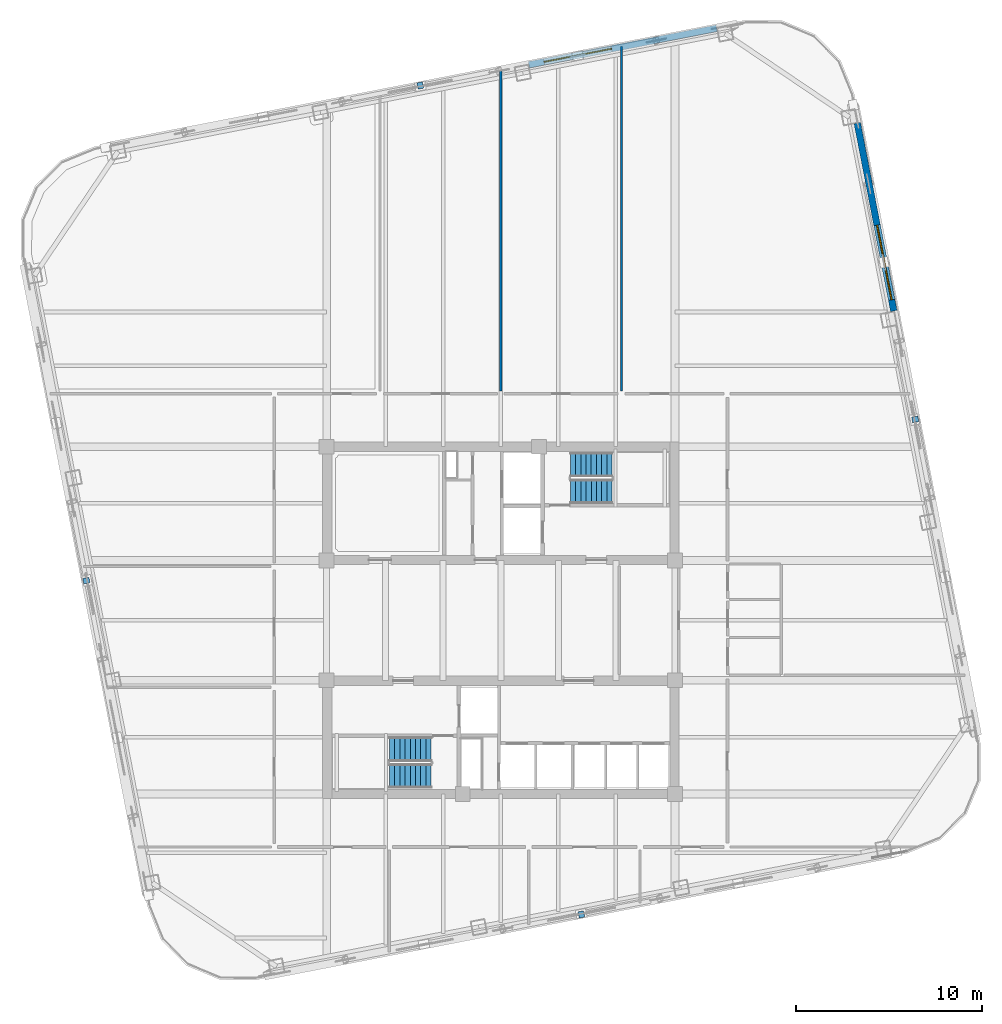
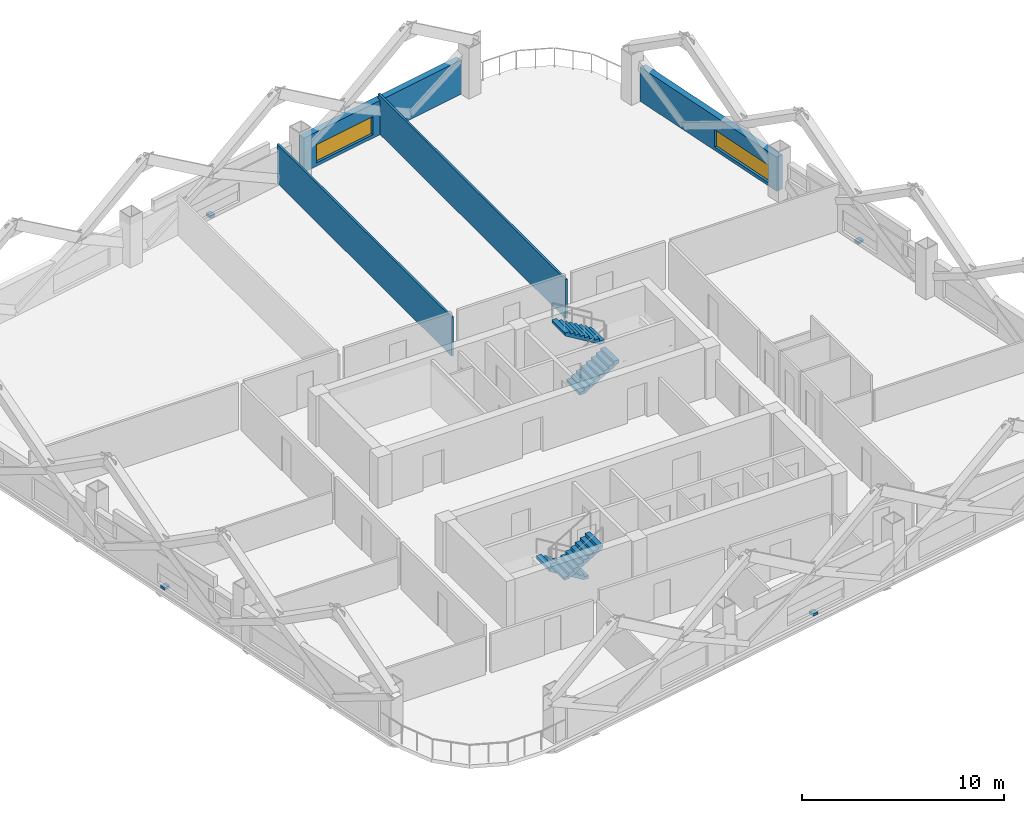
# One storey, part 7 of 10: 4 discrete accessories, 4 stair flights, 4 walls, 2 windows, 2 openings, 2 elements without a shape of their own.
"""IFC4 building model written with IfcOpenShell, lengths in metres."""

import ifcopenshell
import ifcopenshell.guid

model = None  # the IFC model being written
_history = None  # IfcOwnerHistory: only IFC2X3 demands one
_inside = {}  # id of a spatial element -> (the spatial element, [elements in it])
_under = {}  # id of a project, library or spatial element -> (it, [spatial elements below it])
_declared = {}  # id of a project -> (the project, [libraries it declares])
_typed = {}  # id of a type object -> (the type object, [elements of that type])
_made_of = {}  # id of a material, layer set ... -> (it, [elements and type objects made of it])


def new_model(schema):
    """Start an empty IFC model of exactly this schema.

    Asked for "IFC4X3", IfcOpenShell would pick the latest addendum, in which some entities
    have other attributes; the version numbers below select the first issue.
    IFC2X3 requires an IfcOwnerHistory on every rooted entity: one is made here for all.
    """
    global model, _history
    if schema == "IFC4X3":
        model = ifcopenshell.file(schema_version=(4, 3, 0, 0))
    else:
        model = ifcopenshell.file(schema=schema)
    _inside.clear()
    _under.clear()
    _declared.clear()
    _typed.clear()
    _made_of.clear()
    _history = None
    if model.schema == "IFC2X3":
        org = make("IfcOrganization", Name="unknown")
        user = make(
            "IfcPersonAndOrganization",
            ThePerson=make("IfcPerson", FamilyName="unknown"),
            TheOrganization=org,
        )
        app = make(
            "IfcApplication",
            ApplicationDeveloper=org,
            Version="unknown",
            ApplicationFullName="unknown",
            ApplicationIdentifier="unknown",
        )
        _history = make(
            "IfcOwnerHistory",
            OwningUser=user,
            OwningApplication=app,
            ChangeAction="ADDED",
            CreationDate=0,
        )
    return model


def make(cls, **values):
    """One entity of the class cls with the attributes given. An attribute that is None is left unset."""
    return model.create_entity(
        cls, **{name: value for name, value in values.items() if value is not None}
    )


def rooted(cls, **values):
    """An entity with a GlobalId (a new one), such as an element, a storey or a relation."""
    return make(cls, GlobalId=ifcopenshell.guid.new(), OwnerHistory=_history, **values)


def si_unit(unit_type, name, prefix=None):
    """IfcSIUnit, for example si_unit("LENGTHUNIT", "METRE", prefix="MILLI")."""
    return make("IfcSIUnit", UnitType=unit_type, Prefix=prefix, Name=name)


def assignment(units):
    """IfcUnitAssignment: the units of a project."""
    return None if units is None else make("IfcUnitAssignment", Units=units)


def point(xyz):
    """IfcCartesianPoint."""
    return None if xyz is None else make("IfcCartesianPoint", Coordinates=xyz)


def direction(xyz):
    """IfcDirection."""
    return None if xyz is None else make("IfcDirection", DirectionRatios=xyz)


def frame(location, z_axis=None, x_axis=None):
    """IfcAxis2Placement3D, a coordinate frame: its origin and axes. An axis left out is left unset."""
    return make(
        "IfcAxis2Placement3D",
        Location=point(location),
        Axis=direction(z_axis),
        RefDirection=direction(x_axis),
    )


def frame_2d(location, x_axis=None):
    """IfcAxis2Placement2D, a coordinate frame in the plane: its origin and x axis."""
    return make(
        "IfcAxis2Placement2D", Location=point(location), RefDirection=direction(x_axis)
    )


def origin():
    """The frame at (0, 0, 0) with its axes left unset."""
    return frame((0.0, 0.0, 0.0))


def origin_2d():
    """The frame at (0, 0) in the plane with its x axis left unset."""
    return frame_2d((0.0, 0.0))


def place(relative_to, where):
    """IfcLocalPlacement: puts the frame where relative to a parent placement (None: the world)."""
    return make(
        "IfcLocalPlacement", PlacementRelTo=relative_to, RelativePlacement=where
    )


def context(
    kind, dimensions, precision=None, world=None, true_north=None, identifier=None
):
    """IfcGeometricRepresentationContext, for example the 3D "Model" context."""
    return make(
        "IfcGeometricRepresentationContext",
        ContextIdentifier=identifier,
        ContextType=kind,
        CoordinateSpaceDimension=dimensions,
        Precision=precision,
        WorldCoordinateSystem=world,
        TrueNorth=true_north,
    )


def subcontext(parent, identifier, kind, view, scale=None):
    """IfcGeometricRepresentationSubContext, for example "Body" below "Model"."""
    return make(
        "IfcGeometricRepresentationSubContext",
        ContextIdentifier=identifier,
        ContextType=kind,
        ParentContext=parent,
        TargetScale=scale,
        TargetView=view,
    )


def project(units=None, contexts=None):
    """IfcProject with its units and contexts."""
    return rooted(
        "IfcProject",
        Name="project",
        RepresentationContexts=contexts,
        UnitsInContext=assignment(units),
    )


def spatial(cls, under=None, at=None, **own):
    """A site, building, storey or space (cls), placed at a placement, below another one or the project."""
    s = rooted(cls, ObjectPlacement=at, **own)
    if under is not None:
        _under.setdefault(under.id(), (under, []))[1].append(s)
    return s


def polyline(points):
    """IfcPolyline through the points."""
    return make("IfcPolyline", Points=[point(p) for p in points])


def profile(cls, at=None, kind="AREA", **sizes):
    """A parametric profile (cls). Its sizes go by their IFC names, for example OverallWidth=200.0."""
    return make(cls, ProfileType=kind, Position=at, **sizes)


def rectangle(**sizes):
    """IfcRectangleProfileDef."""
    return profile("IfcRectangleProfileDef", **sizes)


def outline(outer, holes=None, kind="AREA"):
    """IfcArbitraryClosedProfileDef: a profile drawn as a closed curve; with holes, ...WithVoids."""
    if holes is None:
        return make("IfcArbitraryClosedProfileDef", ProfileType=kind, OuterCurve=outer)
    return make(
        "IfcArbitraryProfileDefWithVoids",
        ProfileType=kind,
        OuterCurve=outer,
        InnerCurves=holes,
    )


def extrude(swept, where, along, depth):
    """IfcExtrudedAreaSolid: the profile swept, set in the frame where, extruded along a direction by depth."""
    return make(
        "IfcExtrudedAreaSolid",
        SweptArea=swept,
        Position=where,
        ExtrudedDirection=direction(along),
        Depth=depth,
    )


def shape(context_of_items, identifier, shape_type, items):
    """IfcShapeRepresentation: the items that make up one representation, for example the "Body"."""
    return make(
        "IfcShapeRepresentation",
        ContextOfItems=context_of_items,
        RepresentationIdentifier=identifier,
        RepresentationType=shape_type,
        Items=items,
    )


def material(Name=None, Category=None):
    """IfcMaterial."""
    return make("IfcMaterial", Name=Name, Category=Category)


def layer(
    of_material, thickness, ventilated=None, Name=None, Category=None, Priority=None
):
    """IfcMaterialLayer: one layer of a wall or slab, of a material (None: an air gap)."""
    return make(
        "IfcMaterialLayer",
        Material=of_material,
        LayerThickness=thickness,
        IsVentilated=ventilated,
        Name=Name,
        Category=Category,
        Priority=Priority,
    )


def layer_set(layers, Name=None):
    """IfcMaterialLayerSet."""
    return make("IfcMaterialLayerSet", MaterialLayers=layers, LayerSetName=Name)


def made_of(thing, what):
    """Note that an element or type object is made of a material, layer set ...; save() writes the relation."""
    if what is not None:
        _made_of.setdefault(what.id(), (what, []))[1].append(thing)
    return thing


def type_object(cls, material=None, **own):
    """A type object (cls), such as IfcWallType, which elements share."""
    return made_of(rooted(cls, **own), material)


def element(
    cls,
    number,
    at=None,
    inside=None,
    cuts=None,
    type_object=None,
    material=None,
    context=None,
    identifier="Body",
    shape_type=None,
    held_by="IfcProductDefinitionShape",
    body=None,
    shapes=None,
    **own,
):
    """One element of the class cls, such as IfcWall. Its Tag is "e" and its number.

    at: its placement. inside: the storey or other place that contains it. cuts: it is an
    opening in that element (IfcRelVoidsElement). A single representation is given by context,
    identifier, shape_type and body (its items); several are given by shapes. held_by: the class
    of the entity that holds the representations. save() writes the other relations.
    """
    e = rooted(cls, Tag="e%d" % number, ObjectPlacement=at, **own)
    if body is not None:
        shapes = [shape(context, identifier, shape_type, body)]
    if shapes is not None:
        e.Representation = make(held_by, Representations=shapes)
    if inside is not None:
        _inside.setdefault(inside.id(), (inside, []))[1].append(e)
    if cuts is not None:
        rooted(
            "IfcRelVoidsElement", RelatingBuildingElement=cuts, RelatedOpeningElement=e
        )
    if type_object is not None:
        _typed.setdefault(type_object.id(), (type_object, []))[1].append(e)
    return made_of(e, material)


def fill(opening, filler):
    """IfcRelFillsElement: the door or window that sits in an opening."""
    return rooted(
        "IfcRelFillsElement",
        RelatingOpeningElement=opening,
        RelatedBuildingElement=filler,
    )


def aggregate(whole, parts):
    """IfcRelAggregates: a whole, such as a stair, and the parts it consists of."""
    return rooted("IfcRelAggregates", RelatingObject=whole, RelatedObjects=parts)


def save(model, path):
    """Write the relations noted so far, then the file.

    IfcRelAggregates (storeys below a building ...), IfcRelContainedInSpatialStructure (elements
    in a storey), IfcRelDefinesByType, IfcRelAssociatesMaterial and IfcRelDeclares: one each for
    every whole, place, type object, material and project.
    """
    for whole, parts in _under.values():
        aggregate(whole, parts)
    for where, things in _inside.values():
        rooted(
            "IfcRelContainedInSpatialStructure",
            RelatedElements=things,
            RelatingStructure=where,
        )
    for kind, things in _typed.values():
        rooted("IfcRelDefinesByType", RelatedObjects=things, RelatingType=kind)
    for what, things in _made_of.values():
        rooted("IfcRelAssociatesMaterial", RelatedObjects=things, RelatingMaterial=what)
    for by, libraries in _declared.values():
        rooted("IfcRelDeclares", RelatingContext=by, RelatedDefinitions=libraries)
    model.write(path)


model = new_model("IFC4")

# Units and contexts
model_context = context("Model", 3, precision=1e-05, world=origin(), true_north=direction((0.0, 1.0)))
body_context = subcontext(model_context, "Body", "Model", "MODEL_VIEW")
ifc_project = project(units=[si_unit("LENGTHUNIT", "METRE"), si_unit("AREAUNIT", "SQUARE_METRE"), si_unit("VOLUMEUNIT", "CUBIC_METRE"), si_unit("PLANEANGLEUNIT", "RADIAN"), si_unit("MASSUNIT", "GRAM", prefix="KILO")], contexts=[model_context])

# Site, building, storey
site_placement = place(None, origin())
site = spatial("IfcSite", under=ifc_project, at=site_placement, CompositionType="ELEMENT")
building_placement = place(site_placement, origin())
building = spatial("IfcBuilding", under=site, at=building_placement, Name="Qhalaya Broadcast Tower", CompositionType="ELEMENT")
storey_placement = place(building_placement, frame((0.0, 0.0, 131.10009765625)))
storey = spatial("IfcBuildingStorey", under=building, at=storey_placement, Name="L38", CompositionType="ELEMENT", Elevation=131.10009765625)

# Wall, opening, window
ifc_material_1 = material(Name="Precast Concrete C40/50", Category="concrete")
ifc_layer_1 = layer(ifc_material_1, 0.360107421875, Name="Precast Concrete C40/50")
ifc_layer_set_1 = layer_set([ifc_layer_1], Name="Precast Concrete C40/50")
wall_type_1 = type_object("IfcWallType", Name="Insulated Precast Terracotta Exterior Wall 360", PredefinedType="SOLIDWALL", material=ifc_layer_set_1)
wall_1_placement = place(storey_placement, frame((19.189697265625, 27.37646484375, 0.0), z_axis=(0.0, 0.0, 1.0), x_axis=(0.190822765986, -0.981624506612, 0.0)))
wall_1 = element("IfcWall", 1, at=wall_1_placement, inside=storey, type_object=wall_type_1, Name="L38 Exoskeleton Diagrid Infill Wall E1", PredefinedType="SOLIDWALL", context=body_context, shape_type="SweptSolid", body=[
    extrude(rectangle(XDim=10.31201171875, YDim=0.360107421875, at=frame_2d((5.156005859375, 0.0))), origin(), (0.0, 0.0, 1.0), 2.06689453125),
])
opening_1_placement = place(wall_1_placement, frame((5.60009765625, 0.0, 0.199951171875)))
opening_1 = element("IfcOpeningElement", 2, at=opening_1_placement, cuts=wall_1, Name="Opening W11", PredefinedType="OPENING", context=body_context, shape_type="SweptSolid", body=[
    extrude(rectangle(XDim=4.10009765625, YDim=1.050048828125, at=frame_2d((2.050048828125, 0.52490234375))), frame((0.0, 0.192138671875, 0.0), z_axis=(0.0, -1.0, 0.0), x_axis=(1.0, 0.0, 0.0)), (0.0, 0.0, 1.0), 0.384033203125),
])
ifc_material_2 = material(Name="Solar-Control Low-E Triple Glazing", Category="glass")
window_type = type_object("IfcWindowType", Name="Odd-Block Diagrid Infill Window W11", PartitioningType="SINGLE_PANEL", PredefinedType="WINDOW", material=ifc_material_2)
window_1_placement = place(opening_1_placement, origin())
window_1 = element("IfcWindow", 3, at=window_1_placement, inside=storey, type_object=window_type, Name="L38 Diagrid Infill Window W11-E1", OverallHeight=1.050048828125, OverallWidth=4.10009765625, PartitioningType="SINGLE_PANEL", PredefinedType="WINDOW", context=body_context, shape_type="SweptSolid", body=[
    extrude(rectangle(XDim=4.10009765625, YDim=1.050048828125, at=frame_2d((2.050048828125, 0.52490234375))), frame((0.0, 0.030029296875, 0.0), z_axis=(0.0, -1.0, 0.0), x_axis=(1.0, 0.0, 0.0)), (0.0, 0.0, 1.0), 0.06005859375),
])
fill(opening_1, window_1)

wall_2_placement = place(storey_placement, frame((1.50732421875, 30.508056640625, 0.0), z_axis=(0.0, 0.0, 1.0), x_axis=(0.981628941133, 0.190799952646, 0.0)))
wall_2 = element("IfcWall", 4, at=wall_2_placement, inside=storey, type_object=wall_type_1, Name="L38 Exoskeleton Diagrid Infill Wall N3", PredefinedType="SOLIDWALL", context=body_context, shape_type="SweptSolid", body=[
    extrude(rectangle(XDim=10.31201171875, YDim=0.360107421875, at=frame_2d((5.156005859375, 0.0))), origin(), (0.0, 0.0, 1.0), 2.06689453125),
])
opening_2_placement = place(wall_2_placement, frame((0.837890625, 0.0, 0.199951171875)))
opening_2 = element("IfcOpeningElement", 5, at=opening_2_placement, cuts=wall_2, Name="Opening W11", PredefinedType="OPENING", context=body_context, shape_type="SweptSolid", body=[
    extrude(rectangle(XDim=3.699951171875, YDim=1.10009765625, at=frame_2d((1.85009765625, 0.550048828125))), frame((0.0, 0.192138671875, 0.0), z_axis=(0.0, -1.0, 0.0), x_axis=(1.0, 0.0, 0.0)), (0.0, 0.0, 1.0), 0.384033203125),
])
window_2_placement = place(opening_2_placement, origin())
window_2 = element("IfcWindow", 6, at=window_2_placement, inside=storey, type_object=window_type, Name="L38 Diagrid Infill Window W11-N3", OverallHeight=1.10009765625, OverallWidth=3.699951171875, PartitioningType="SINGLE_PANEL", PredefinedType="WINDOW", context=body_context, shape_type="SweptSolid", body=[
    extrude(rectangle(XDim=3.699951171875, YDim=1.10009765625, at=frame_2d((1.85009765625, 0.550048828125))), frame((0.0, 0.030029296875, 0.0), z_axis=(0.0, -1.0, 0.0), x_axis=(1.0, 0.0, 0.0)), (0.0, 0.0, 1.0), 0.06005859375),
])
fill(opening_2, window_2)

# Walls
ifc_material_3 = material(Name="Gypsum Acoustic Partition")
ifc_layer_2 = layer(ifc_material_3, 0.1201171875, Name="Gypsum Acoustic Partition")
ifc_layer_set_2 = layer_set([ifc_layer_2], Name="Gypsum Acoustic Partition")
wall_type_2 = type_object("IfcWallType", Name="Office, Booth & Sanitary Partition 120", PredefinedType="PARTITIONING", material=ifc_layer_set_2)
wall_3_placement = place(storey_placement, frame((0.0, 12.9599609375, 0.0), z_axis=(0.0, 0.0, 1.0), x_axis=(0.0, 1.0, 0.0)))
element("IfcWall", 7, at=wall_3_placement, inside=storey, type_object=wall_type_2, Name="L38 Partition Wall W-DIVN2", PredefinedType="PARTITIONING", context=body_context, shape_type="SweptSolid", body=[
    extrude(rectangle(XDim=17.275390625, YDim=0.1201171875, at=frame_2d((8.6376953125, 0.0))), origin(), (0.0, 0.0, 1.0), 2.346923828125),
])
wall_4_placement = place(storey_placement, frame((6.5, 12.9599609375, 0.0), z_axis=(0.0, 0.0, 1.0), x_axis=(0.0, 1.0, 0.0)))
element("IfcWall", 8, at=wall_4_placement, inside=storey, type_object=wall_type_2, Name="L38 Partition Wall W-DIVN3", PredefinedType="PARTITIONING", context=body_context, shape_type="SweptSolid", body=[
    extrude(rectangle(XDim=18.538818359375, YDim=0.1201171875, at=frame_2d((9.26953125, 0.0))), origin(), (0.0, 0.0, 1.0), 2.346923828125),
])

# Stair, stair flights
ifc_material_4 = material(Name="Concrete C40/50", Category="concrete")
stair_type = type_object("IfcStairType", Name="Protected Dogleg Core Stair 3150", PredefinedType="TWO_STRAIGHT_RUN_STAIR", material=ifc_material_4)
stair_1_placement = place(storey_placement, origin())
stair_1 = element("IfcStair", 9, at=stair_1_placement, inside=storey, type_object=stair_type, Name="L38 North Core Exit Stair ST-1", PredefinedType="TWO_STRAIGHT_RUN_STAIR")
stair_flight_type = type_object("IfcStairFlightType", Name="Precast Concrete Stair Flight 3150", PredefinedType="STRAIGHT", material=ifc_material_1)
stair_flight_1_placement = place(storey_placement, frame((3.75, 7.5400390625, 0.0), z_axis=(0.0, 0.0, 1.0), x_axis=(1.0, 0.0, 0.0)))
stair_flight_1 = element("IfcStairFlight", 10, at=stair_flight_1_placement, type_object=stair_flight_type, Name="ST-1 flight 1", NumberOfRisers=9, NumberOfTreads=8, PredefinedType="STRAIGHT", RiserHeight=0.169444444, TreadLength=0.28, context=body_context, shape_type="SweptSolid", body=[
    extrude(outline(polyline([(0.0, 0.0), (0.0, 0.16943359375), (0.280029296875, 0.16943359375), (0.280029296875, 0.3388671875), (0.56005859375, 0.3388671875), (0.56005859375, 0.50830078125), (0.840087890625, 0.50830078125), (0.840087890625, 0.677734375), (1.1201171875, 0.677734375), (1.1201171875, 0.84716796875), (1.39990234375, 0.84716796875), (1.39990234375, 1.0166015625), (1.679931640625, 1.0166015625), (1.679931640625, 1.18603515625), (1.9599609375, 1.18603515625), (1.9599609375, 1.35546875), (2.239990234375, 1.35546875), (2.239990234375, 1.52490234375), (2.239990234375, 1.180419921875), (0.28955078125, 0.0), (0.0, 0.0)])), frame((0.0, 0.66015625, 0.0), z_axis=(0.0, -1.0, 0.0), x_axis=(1.0, 0.0, 0.0)), (0.0, 0.0, 1.0), 1.320068359375),
])
stair_flight_2_placement = place(storey_placement, frame((5.989990234375, 8.97998046875, 1.52490234375), z_axis=(0.0, 0.0, 1.0), x_axis=(-1.0, 0.0, 0.0)))
stair_flight_2 = element("IfcStairFlight", 11, at=stair_flight_2_placement, type_object=stair_flight_type, Name="ST-1 flight 2", NumberOfRisers=9, NumberOfTreads=8, PredefinedType="STRAIGHT", RiserHeight=0.169444444, TreadLength=0.28, context=body_context, shape_type="SweptSolid", body=[
    extrude(outline(polyline([(0.0, 0.0), (0.0, 0.16943359375), (0.280029296875, 0.16943359375), (0.280029296875, 0.3388671875), (0.56005859375, 0.3388671875), (0.56005859375, 0.50830078125), (0.840087890625, 0.50830078125), (0.840087890625, 0.677734375), (1.1201171875, 0.677734375), (1.1201171875, 0.84716796875), (1.39990234375, 0.84716796875), (1.39990234375, 1.0166015625), (1.679931640625, 1.0166015625), (1.679931640625, 1.18603515625), (1.9599609375, 1.18603515625), (1.9599609375, 1.35546875), (2.239990234375, 1.35546875), (2.239990234375, 1.52490234375), (2.239990234375, 1.180419921875), (0.28955078125, 0.0), (0.0, 0.0)])), frame((0.0, 0.66015625, 0.0), z_axis=(0.0, -1.0, 0.0), x_axis=(1.0, 0.0, 0.0)), (0.0, 0.0, 1.0), 1.320068359375),
])
aggregate(stair_1, [stair_flight_1, stair_flight_2])

stair_2_placement = place(storey_placement, origin())
stair_2 = element("IfcStair", 12, at=stair_2_placement, inside=storey, type_object=stair_type, Name="L38 South Core Exit Stair ST-2", PredefinedType="TWO_STRAIGHT_RUN_STAIR")
stair_flight_3_placement = place(storey_placement, frame((-3.75, -6.340087890625, 0.0), z_axis=(0.0, 0.0, 1.0), x_axis=(-1.0, 0.0, 0.0)))
stair_flight_3 = element("IfcStairFlight", 13, at=stair_flight_3_placement, type_object=stair_flight_type, Name="ST-2 flight 1", NumberOfRisers=9, NumberOfTreads=8, PredefinedType="STRAIGHT", RiserHeight=0.169444444, TreadLength=0.28, context=body_context, shape_type="SweptSolid", body=[
    extrude(outline(polyline([(0.0, 0.0), (0.0, 0.16943359375), (0.280029296875, 0.16943359375), (0.280029296875, 0.3388671875), (0.56005859375, 0.3388671875), (0.56005859375, 0.50830078125), (0.840087890625, 0.50830078125), (0.840087890625, 0.677734375), (1.1201171875, 0.677734375), (1.1201171875, 0.84716796875), (1.39990234375, 0.84716796875), (1.39990234375, 1.0166015625), (1.679931640625, 1.0166015625), (1.679931640625, 1.18603515625), (1.9599609375, 1.18603515625), (1.9599609375, 1.35546875), (2.239990234375, 1.35546875), (2.239990234375, 1.52490234375), (2.239990234375, 1.180419921875), (0.28955078125, 0.0), (0.0, 0.0)])), frame((0.0, 0.66015625, 0.0), z_axis=(0.0, -1.0, 0.0), x_axis=(1.0, 0.0, 0.0)), (0.0, 0.0, 1.0), 1.320068359375),
])
stair_flight_4_placement = place(storey_placement, frame((-5.989990234375, -7.780029296875, 1.52490234375), z_axis=(0.0, 0.0, 1.0), x_axis=(1.0, 0.0, 0.0)))
stair_flight_4 = element("IfcStairFlight", 14, at=stair_flight_4_placement, type_object=stair_flight_type, Name="ST-2 flight 2", NumberOfRisers=9, NumberOfTreads=8, PredefinedType="STRAIGHT", RiserHeight=0.169444444, TreadLength=0.28, context=body_context, shape_type="SweptSolid", body=[
    extrude(outline(polyline([(0.0, 0.0), (0.0, 0.16943359375), (0.280029296875, 0.16943359375), (0.280029296875, 0.3388671875), (0.56005859375, 0.3388671875), (0.56005859375, 0.50830078125), (0.840087890625, 0.50830078125), (0.840087890625, 0.677734375), (1.1201171875, 0.677734375), (1.1201171875, 0.84716796875), (1.39990234375, 0.84716796875), (1.39990234375, 1.0166015625), (1.679931640625, 1.0166015625), (1.679931640625, 1.18603515625), (1.9599609375, 1.18603515625), (1.9599609375, 1.35546875), (2.239990234375, 1.35546875), (2.239990234375, 1.52490234375), (2.239990234375, 1.180419921875), (0.28955078125, 0.0), (0.0, 0.0)])), frame((0.0, 0.66015625, 0.0), z_axis=(0.0, -1.0, 0.0), x_axis=(1.0, 0.0, 0.0)), (0.0, 0.0, 1.0), 1.320068359375),
])
aggregate(stair_2, [stair_flight_3, stair_flight_4])

# Discrete accessories
ifc_material_5 = material(Name="Structural Steel ASTM A572 Grade 50", Category="steel")
discrete_accessory_type = type_object("IfcDiscreteAccessoryType", Name="Facade Baguette Support Bracket BRK-01", PredefinedType="BRACKET", material=ifc_material_5)
for number, where, z_axis, x_axis, name in (
    (15, (4.337158203125, -15.232421875, 0.0), (0.0, 0.0, 1.0), (0.981627183448, 0.190808995377, 0.0), "L38 Baguette Support Bracket S"),
    (16, (22.3125, 11.4169921875, 0.0), (0.0, 0.0, 1.0), (-0.190808995377, 0.981627183448, 0.0), "L38 Baguette Support Bracket E"),
    (17, (-4.337158203125, 29.392333984375, 0.0), (0.0, 0.0, 1.0), (-0.981627183448, -0.190808995377, 0.0), "L38 Baguette Support Bracket N"),
    (18, (-22.3125, 2.742919921875, 0.0), (0.0, 0.0, 1.0), (0.190808995377, -0.981627183448, 0.0), "L38 Baguette Support Bracket W"),
):
    element("IfcDiscreteAccessory", number, at=place(storey_placement, frame(where, z_axis=z_axis, x_axis=x_axis)), inside=storey, type_object=discrete_accessory_type, Name=name, PredefinedType="BRACKET", context=body_context, shape_type="SweptSolid", body=[
        extrude(rectangle(XDim=0.300048828125, YDim=0.340087890625, at=origin_2d()), origin(), (0.0, 0.0, 1.0), 0.159912109375),
    ])

save(model, "model.ifc")
